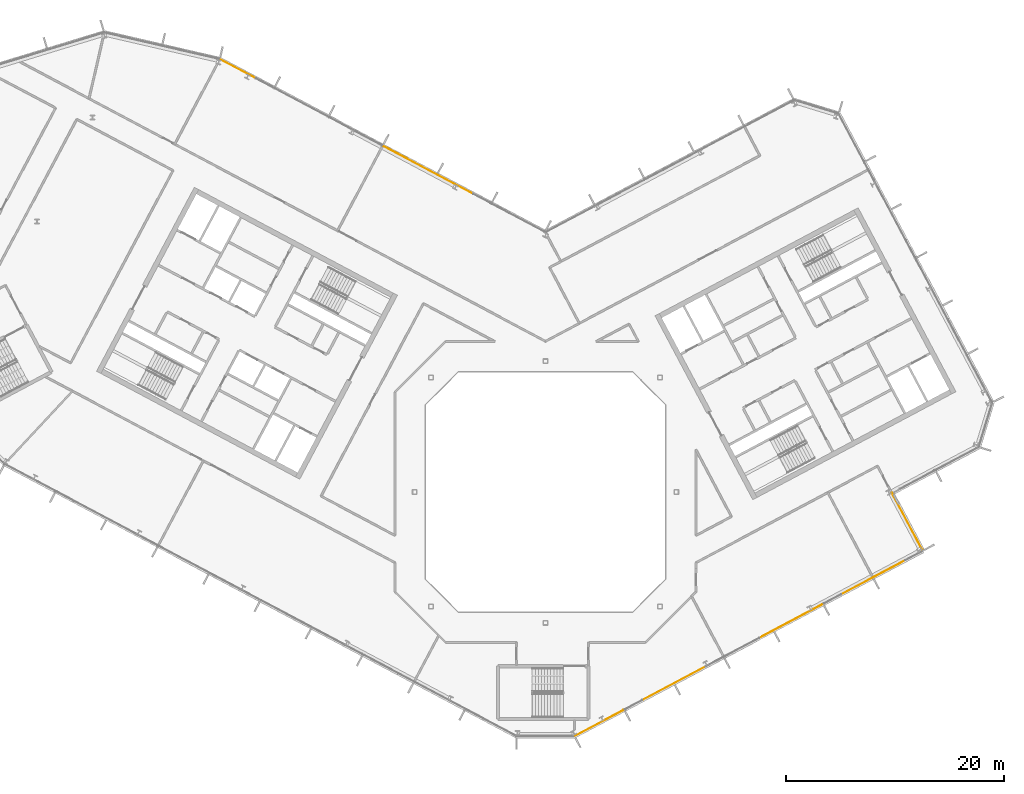
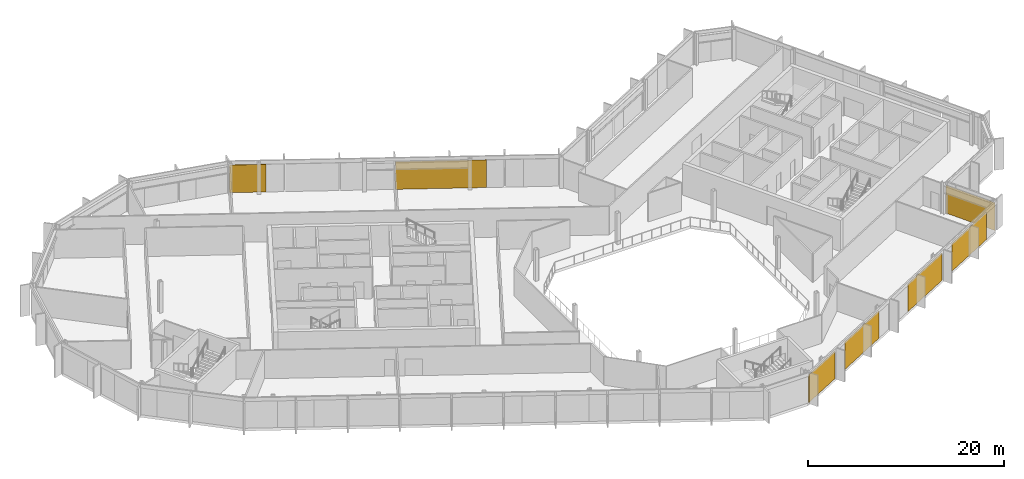
# One storey, part 24 of 26: 7 coverings, 3 elements without a shape of their own.
"""IFC4 building model written with IfcOpenShell, lengths in metres."""

from ifc_helpers import new_model, si_unit, direction, frame, origin, origin_2d, place, context, subcontext, project, spatial, rectangle, extrude, material, layer, layer_set, type_object, element, aggregate, save


model = new_model("IFC4")

# Units and contexts
model_context = context("Model", 3, precision=1e-05, world=origin(), true_north=direction((0.0, 1.0)))
body_context = subcontext(model_context, "Body", "Model", "MODEL_VIEW")
ifc_project = project(units=[si_unit("LENGTHUNIT", "METRE"), si_unit("AREAUNIT", "SQUARE_METRE"), si_unit("VOLUMEUNIT", "CUBIC_METRE"), si_unit("PLANEANGLEUNIT", "RADIAN"), si_unit("MASSUNIT", "GRAM", prefix="KILO")], contexts=[model_context])

# Site, building, storey
site_placement = place(None, origin())
site = spatial("IfcSite", under=ifc_project, at=site_placement, CompositionType="ELEMENT")
building_placement = place(site_placement, origin())
building = spatial("IfcBuilding", under=site, at=building_placement, Name="Cormorant Relay Tower", CompositionType="ELEMENT")
storey_placement = place(building_placement, frame((0.0, 0.0, 277.5)))
storey = spatial("IfcBuildingStorey", under=building, at=storey_placement, Name="L62", CompositionType="ELEMENT", Elevation=277.5)

# Curtain wall, coverings
ifc_material_1 = material(Name="Aluminium 6063-T6 anodised bronze", Category="aluminium")
ifc_layer_1 = layer(ifc_material_1, 0.199951171875)
ifc_layer_set_1 = layer_set([ifc_layer_1], Name="CW1 unitised bronze curtain wall with vertical fins")
curtain_wall_type = type_object("IfcCurtainWallType", Name="CW1 unitised bronze curtain wall with vertical fins", PredefinedType="NOTDEFINED", material=ifc_layer_set_1)
curtain_wall_1_placement = place(storey_placement, origin())
curtain_wall_1 = element("IfcCurtainWall", 1, at=curtain_wall_1_placement, inside=storey, type_object=curtain_wall_type, Name="CW1 curtain wall 2", PredefinedType="NOTDEFINED")
ifc_material_2 = material(Name="Pale bronze anodised aluminium insulated panel", Category="aluminium")
ifc_layer_2 = layer(ifc_material_2, 0.0400390625)
ifc_layer_set_2 = layer_set([ifc_layer_2], Name="CW1 pale bronze insulated panel 40")
covering_type = type_object("IfcCoveringType", Name="CW1 pale bronze insulated panel 40", PredefinedType="CLADDING", material=ifc_layer_set_2)
covering_1_placement = place(storey_placement, frame((4.939208984375, -21.180419921875, 0.0), z_axis=(0.0, 0.0, 1.0), x_axis=(0.882947592859, 0.469471562786, 0.0)))
covering_1 = element("IfcCovering", 2, at=covering_1_placement, type_object=covering_type, Name="CW1 panel S00", PredefinedType="CLADDING", context=body_context, shape_type="SweptSolid", body=[
    extrude(rectangle(XDim=5.0166015625, YDim=0.0400390625, at=origin_2d()), origin(), (0.0, 0.0, 1.0), 3.449951171875),
])
covering_2_placement = place(storey_placement, frame((11.78173828125, -17.5419921875, 0.0), z_axis=(0.0, 0.0, 1.0), x_axis=(0.882947592859, 0.469471562786, 0.0)))
covering_2 = element("IfcCovering", 3, at=covering_2_placement, type_object=covering_type, Name="CW1 panel S02", PredefinedType="CLADDING", context=body_context, shape_type="SweptSolid", body=[
    extrude(rectangle(XDim=6.5830078125, YDim=0.0400390625, at=origin_2d()), origin(), (0.0, 0.0, 1.0), 3.449951171875),
])
covering_3_placement = place(storey_placement, frame((22.49462890625, -11.845947265625, 0.0), z_axis=(0.0, 0.0, 1.0), x_axis=(0.882947592859, 0.469471562786, 0.0)))
covering_3 = element("IfcCovering", 4, at=covering_3_placement, type_object=covering_type, Name="CW1 panel S05", PredefinedType="CLADDING", context=body_context, shape_type="SweptSolid", body=[
    extrude(rectangle(XDim=6.5830078125, YDim=0.0400390625, at=origin_2d()), origin(), (0.0, 0.0, 1.0), 3.449951171875),
])
covering_4_placement = place(storey_placement, frame((30.06201171875, -7.822265625, 0.0), z_axis=(0.0, 0.0, 1.0), x_axis=(0.882947592859, 0.469471562786, 0.0)))
covering_4 = element("IfcCovering", 5, at=covering_4_placement, type_object=covering_type, Name="CW1 panel S07", PredefinedType="CLADDING", context=body_context, shape_type="SweptSolid", body=[
    extrude(rectangle(XDim=6.658203125, YDim=0.0400390625, at=origin_2d()), origin(), (0.0, 0.0, 1.0), 3.449951171875),
])
aggregate(curtain_wall_1, [covering_1, covering_2, covering_3, covering_4])

# Curtain wall, covering
curtain_wall_2_placement = place(storey_placement, origin())
curtain_wall_2 = element("IfcCurtainWall", 6, at=curtain_wall_2_placement, inside=storey, type_object=curtain_wall_type, Name="CW1 curtain wall 3", PredefinedType="NOTDEFINED")
covering_5_placement = place(storey_placement, frame((33.173095703125, -2.705322265625, 0.0), z_axis=(0.0, 0.0, 1.0), x_axis=(-0.469471562786, 0.882947592859, 0.0)))
covering_5 = element("IfcCovering", 7, at=covering_5_placement, type_object=covering_type, Name="CW1 panel S00", PredefinedType="CLADDING", context=body_context, shape_type="SweptSolid", body=[
    extrude(rectangle(XDim=5.925048828125, YDim=0.0400390625, at=origin_2d()), origin(), (0.0, 0.0, 1.0), 3.449951171875),
])
aggregate(curtain_wall_2, [covering_5])

# Curtain wall, coverings
curtain_wall_3_placement = place(storey_placement, origin())
curtain_wall_3 = element("IfcCurtainWall", 8, at=curtain_wall_3_placement, inside=storey, type_object=curtain_wall_type, Name="CW1 curtain wall 9", PredefinedType="NOTDEFINED")
covering_6_placement = place(storey_placement, frame((-10.7431640625, 29.518798828125, 0.0), z_axis=(0.0, 0.0, 1.0), x_axis=(-0.882947592859, 0.469471562786, 0.0)))
covering_6 = element("IfcCovering", 9, at=covering_6_placement, type_object=covering_type, Name="CW1 panel S03", PredefinedType="CLADDING", context=body_context, shape_type="SweptSolid", body=[
    extrude(rectangle(XDim=9.327880859375, YDim=0.0400390625, at=origin_2d()), origin(), (0.0, 0.0, 1.0), 3.449951171875),
])
covering_7_placement = place(storey_placement, frame((-28.20263671875, 38.80224609375, 0.0), z_axis=(0.0, 0.0, 1.0), x_axis=(-0.882947592859, 0.469471562786, 0.0)))
covering_7 = element("IfcCovering", 10, at=covering_7_placement, type_object=covering_type, Name="CW1 panel S07", PredefinedType="CLADDING", context=body_context, shape_type="SweptSolid", body=[
    extrude(rectangle(XDim=3.763916015625, YDim=0.0400390625, at=origin_2d()), origin(), (0.0, 0.0, 1.0), 3.449951171875),
])
aggregate(curtain_wall_3, [covering_6, covering_7])

save(model, "model.ifc")
